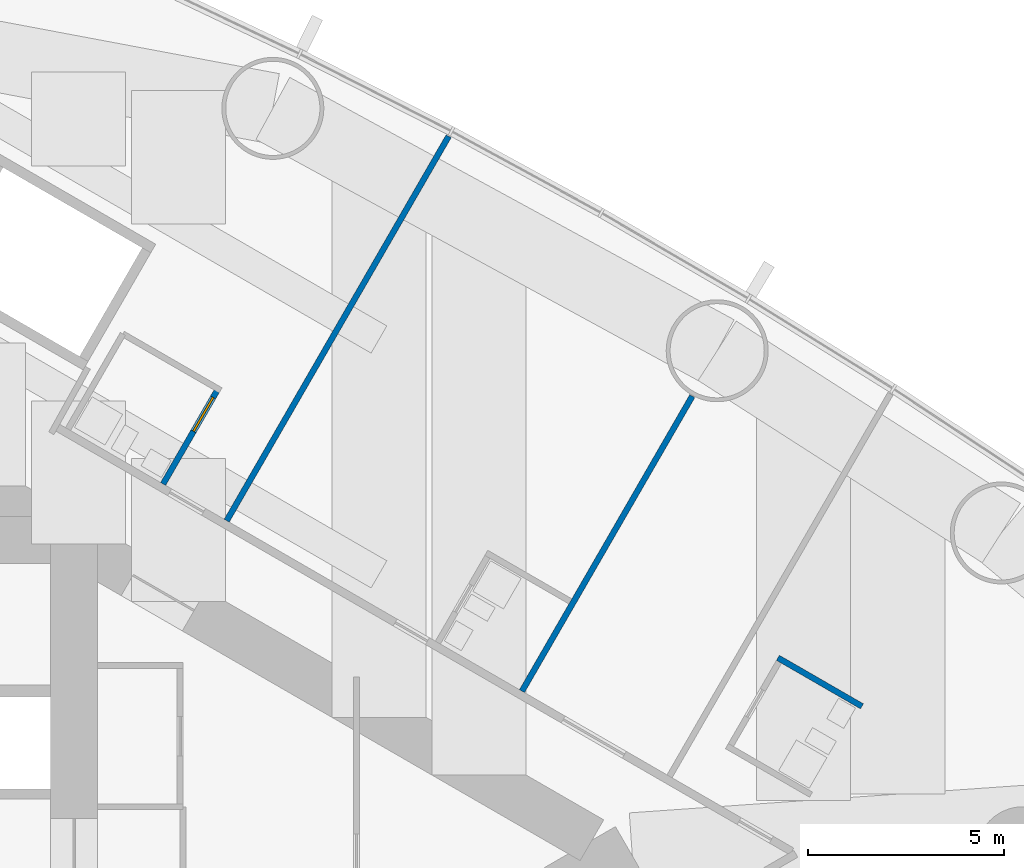
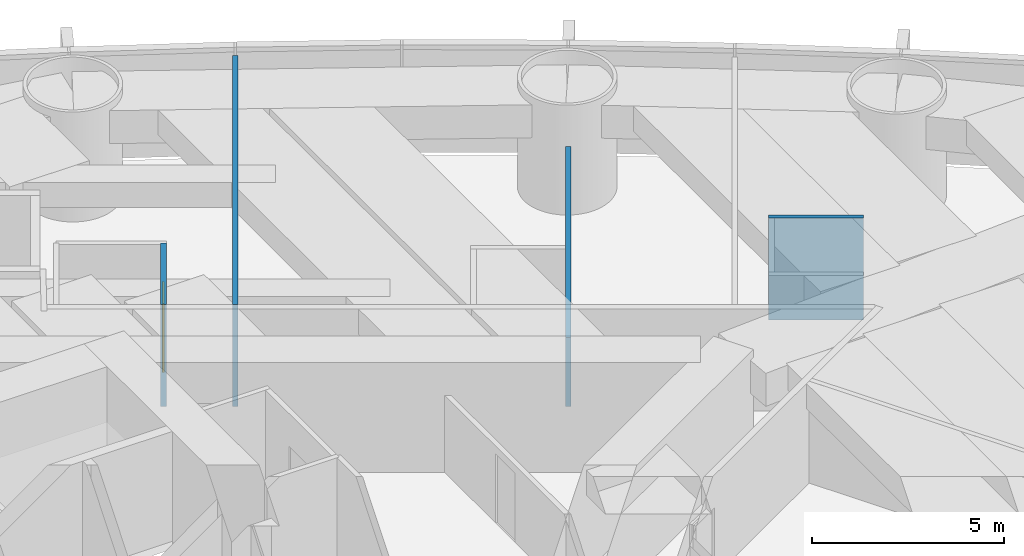
# One storey, part 15 of 18: 4 walls, 1 door, 1 opening.
"""IFC4 building model written with IfcOpenShell, lengths in metres."""

from ifc_helpers import new_model, si_unit, direction, frame, frame_2d, origin, place, context, subcontext, project, spatial, rectangle, extrude, material, layer, layer_set, type_object, element, fill, save


model = new_model("IFC4")

# Units and contexts
model_context = context("Model", 3, precision=1e-05, world=origin(), true_north=direction((0.0, 1.0)))
body_context = subcontext(model_context, "Body", "Model", "MODEL_VIEW")
ifc_project = project(units=[si_unit("LENGTHUNIT", "METRE"), si_unit("AREAUNIT", "SQUARE_METRE"), si_unit("VOLUMEUNIT", "CUBIC_METRE"), si_unit("PLANEANGLEUNIT", "RADIAN"), si_unit("MASSUNIT", "GRAM", prefix="KILO")], contexts=[model_context])

# Site, building, storey
site_placement = place(None, origin())
site = spatial("IfcSite", under=ifc_project, at=site_placement, CompositionType="ELEMENT")
building_placement = place(site_placement, origin())
building = spatial("IfcBuilding", under=site, at=building_placement, Name="Lancet Gate Hotel", CompositionType="ELEMENT")
storey_placement = place(building_placement, frame((0.0, 0.0, 136.10009765625)))
storey = spatial("IfcBuildingStorey", under=building, at=storey_placement, Name="L36", CompositionType="ELEMENT", Elevation=136.10009765625)

# Wall
ifc_material_1 = material(Name="Moisture resistant board partition")
ifc_layer_1 = layer(ifc_material_1, 0.14990234375)
ifc_layer_set_1 = layer_set([ifc_layer_1], Name="Bathroom wall 150")
wall_type_1 = type_object("IfcWallType", Name="Bathroom wall 150", PredefinedType="PARTITIONING", material=ifc_layer_set_1)
wall_1_placement = place(storey_placement, frame((55.2451171875, 4.998291015625, 0.0), z_axis=(0.0, 0.0, 1.0), x_axis=(0.866006523861, -0.500032699561, 0.0)))
element("IfcWall", 1, at=wall_1_placement, inside=storey, type_object=wall_type_1, Name="T2 bathroom wall 150 L36", PredefinedType="PARTITIONING", context=body_context, shape_type="SweptSolid", body=[
    extrude(rectangle(XDim=2.474853515625, YDim=0.14990234375, at=frame_2d((1.2373046875, 0.0))), origin(), (0.0, 0.0, 1.0), 3.25),
])

# Wall, opening, door
wall_2_placement = place(storey_placement, frame((39.56884765625, 9.43017578125, 0.0), z_axis=(0.0, 0.0, 1.0), x_axis=(0.49998411664, 0.866034573852, 0.0)))
wall_2 = element("IfcWall", 2, at=wall_2_placement, inside=storey, type_object=wall_type_1, Name="T2 bathroom wall 150 L36", PredefinedType="PARTITIONING", context=body_context, shape_type="SweptSolid", body=[
    extrude(rectangle(XDim=2.7998046875, YDim=0.14990234375, at=frame_2d((1.39990234375, 0.0))), origin(), (0.0, 0.0, 1.0), 3.25),
])
opening_placement = place(wall_2_placement, frame((1.550048828125, 0.0, 0.0)))
opening = element("IfcOpeningElement", 3, at=opening_placement, cuts=wall_2, Name="Opening 3662-B", PredefinedType="OPENING", context=body_context, shape_type="SweptSolid", body=[
    extrude(rectangle(XDim=1.0, YDim=2.199951171875, at=frame_2d((0.5, 1.10009765625))), frame((0.0, 0.0849609375, 0.0), z_axis=(0.0, -1.0, 0.0), x_axis=(1.0, 0.0, 0.0)), (0.0, 0.0, 1.0), 0.169921875),
])
ifc_material_2 = material(Name="Timber door set", Category="wood")
door_type = type_object("IfcDoorType", Name="Accessible en-suite door 1000", OperationType="SINGLE_SWING_RIGHT", PredefinedType="DOOR", material=ifc_material_2)
door_placement = place(opening_placement, origin())
door = element("IfcDoor", 4, at=door_placement, inside=storey, type_object=door_type, Name="3662-B", OperationType="SINGLE_SWING_RIGHT", OverallHeight=2.199951171875, OverallWidth=1.0, PredefinedType="DOOR", context=body_context, shape_type="SweptSolid", body=[
    extrude(rectangle(XDim=1.0, YDim=2.199951171875, at=frame_2d((0.5, 1.10009765625))), frame((0.0, 0.02490234375, 0.0), z_axis=(0.0, -1.0, 0.0), x_axis=(1.0, 0.0, 0.0)), (0.0, 0.0, 1.0), 0.050048828125),
])
fill(opening, door)

# Walls
ifc_material_3 = material(Name="Gypsum board partition")
ifc_layer_2 = layer(ifc_material_3, 0.14990234375)
ifc_layer_set_2 = layer_set([ifc_layer_2], Name="Party wall 150")
wall_type_2 = type_object("IfcWallType", Name="Party wall 150", PredefinedType="PARTITIONING", material=ifc_layer_set_2)
wall_3_placement = place(storey_placement, frame((41.18994140625, 8.494140625, 0.0), z_axis=(0.0, 0.0, 1.0), x_axis=(0.49999258054, 0.866029687369, 0.0)))
element("IfcWall", 5, at=wall_3_placement, inside=storey, type_object=wall_type_2, Name="T2 party wall 150 L36", PredefinedType="PARTITIONING", context=body_context, shape_type="SweptSolid", body=[
    extrude(rectangle(XDim=11.318115234375, YDim=0.14990234375, at=frame_2d((5.6591796875, 0.0))), origin(), (0.0, 0.0, 1.0), 3.25),
])
wall_4_placement = place(storey_placement, frame((48.718505859375, 4.1474609375, 0.0), z_axis=(0.0, 0.0, 1.0), x_axis=(0.499993328235, 0.866029255696, 0.0)))
element("IfcWall", 6, at=wall_4_placement, inside=storey, type_object=wall_type_2, Name="T2 party wall 150 L36", PredefinedType="PARTITIONING", context=body_context, shape_type="SweptSolid", body=[
    extrude(rectangle(XDim=8.68603515625, YDim=0.14990234375, at=frame_2d((4.343017578125, 0.0))), origin(), (0.0, 0.0, 1.0), 2.199951171875),
])

save(model, "model.ifc")
